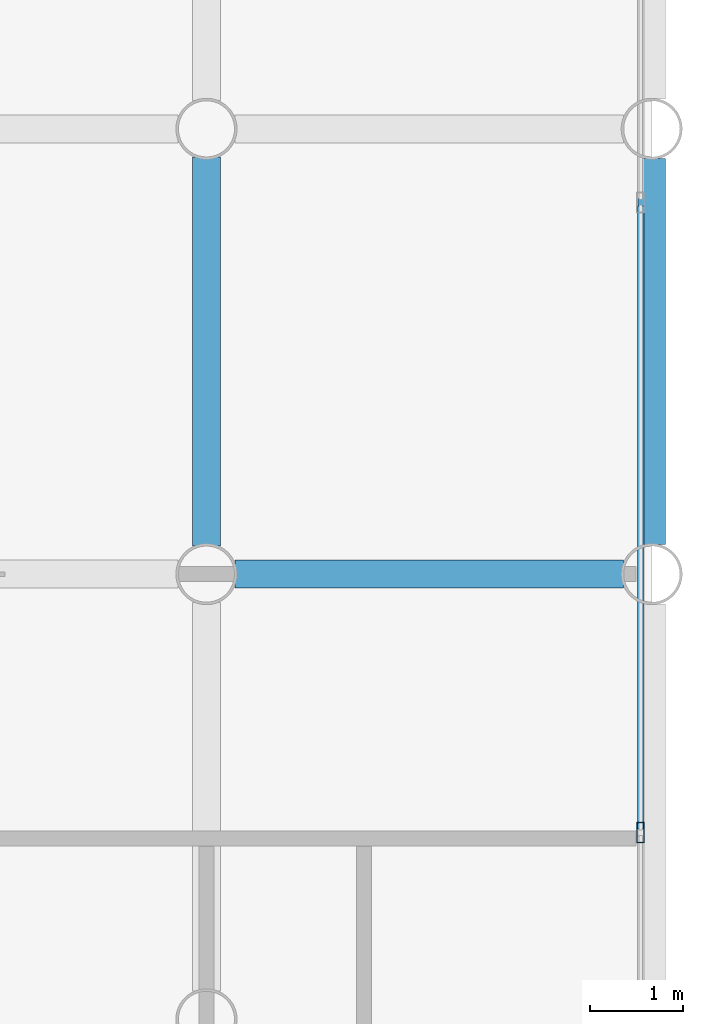
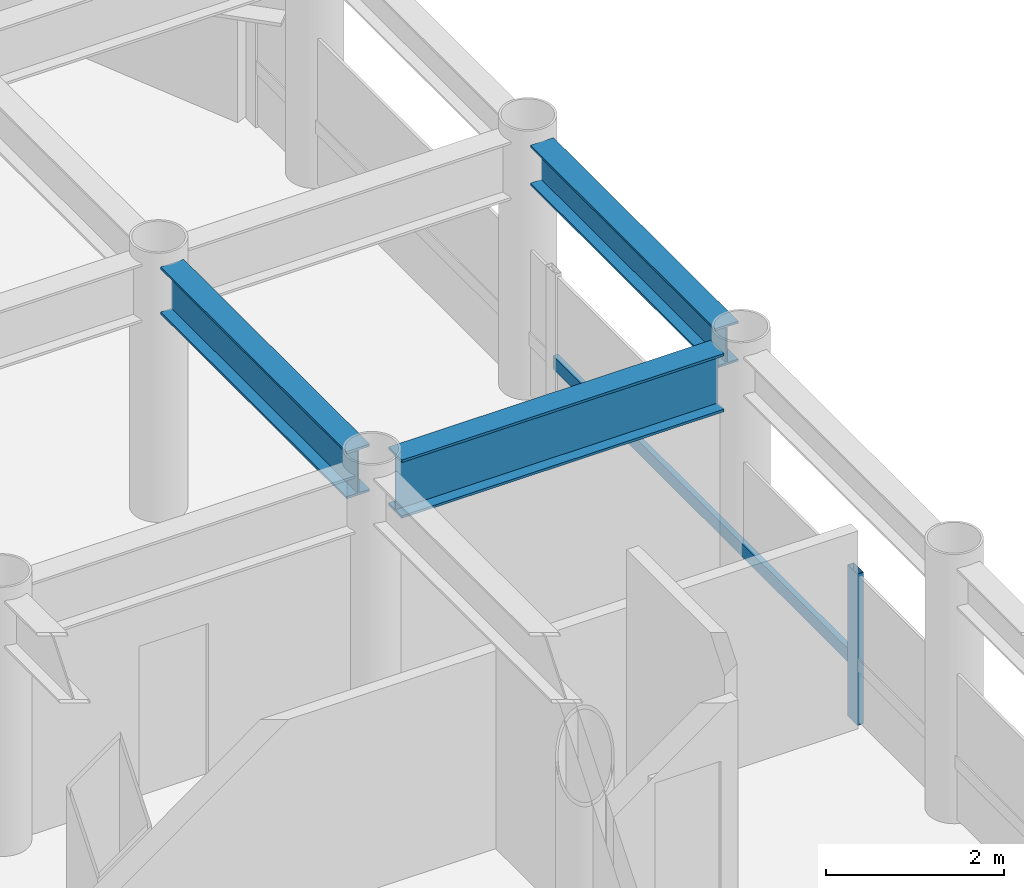
# One storey, part 10 of 22: 3 beams, 2 members, 1 element without a shape of its own.
"""IFC4 building model written with IfcOpenShell, lengths in metres."""

import ifcopenshell
import ifcopenshell.guid

model = None  # the IFC model being written
_history = None  # IfcOwnerHistory: only IFC2X3 demands one
_inside = {}  # id of a spatial element -> (the spatial element, [elements in it])
_under = {}  # id of a project, library or spatial element -> (it, [spatial elements below it])
_declared = {}  # id of a project -> (the project, [libraries it declares])
_typed = {}  # id of a type object -> (the type object, [elements of that type])
_made_of = {}  # id of a material, layer set ... -> (it, [elements and type objects made of it])


def new_model(schema):
    """Start an empty IFC model of exactly this schema.

    Asked for "IFC4X3", IfcOpenShell would pick the latest addendum, in which some entities
    have other attributes; the version numbers below select the first issue.
    IFC2X3 requires an IfcOwnerHistory on every rooted entity: one is made here for all.
    """
    global model, _history
    if schema == "IFC4X3":
        model = ifcopenshell.file(schema_version=(4, 3, 0, 0))
    else:
        model = ifcopenshell.file(schema=schema)
    _inside.clear()
    _under.clear()
    _declared.clear()
    _typed.clear()
    _made_of.clear()
    _history = None
    if model.schema == "IFC2X3":
        org = make("IfcOrganization", Name="unknown")
        user = make(
            "IfcPersonAndOrganization",
            ThePerson=make("IfcPerson", FamilyName="unknown"),
            TheOrganization=org,
        )
        app = make(
            "IfcApplication",
            ApplicationDeveloper=org,
            Version="unknown",
            ApplicationFullName="unknown",
            ApplicationIdentifier="unknown",
        )
        _history = make(
            "IfcOwnerHistory",
            OwningUser=user,
            OwningApplication=app,
            ChangeAction="ADDED",
            CreationDate=0,
        )
    return model


def make(cls, **values):
    """One entity of the class cls with the attributes given. An attribute that is None is left unset."""
    return model.create_entity(
        cls, **{name: value for name, value in values.items() if value is not None}
    )


def rooted(cls, **values):
    """An entity with a GlobalId (a new one), such as an element, a storey or a relation."""
    return make(cls, GlobalId=ifcopenshell.guid.new(), OwnerHistory=_history, **values)


def si_unit(unit_type, name, prefix=None):
    """IfcSIUnit, for example si_unit("LENGTHUNIT", "METRE", prefix="MILLI")."""
    return make("IfcSIUnit", UnitType=unit_type, Prefix=prefix, Name=name)


def assignment(units):
    """IfcUnitAssignment: the units of a project."""
    return None if units is None else make("IfcUnitAssignment", Units=units)


def point(xyz):
    """IfcCartesianPoint."""
    return None if xyz is None else make("IfcCartesianPoint", Coordinates=xyz)


def direction(xyz):
    """IfcDirection."""
    return None if xyz is None else make("IfcDirection", DirectionRatios=xyz)


def frame(location, z_axis=None, x_axis=None):
    """IfcAxis2Placement3D, a coordinate frame: its origin and axes. An axis left out is left unset."""
    return make(
        "IfcAxis2Placement3D",
        Location=point(location),
        Axis=direction(z_axis),
        RefDirection=direction(x_axis),
    )


def frame_2d(location, x_axis=None):
    """IfcAxis2Placement2D, a coordinate frame in the plane: its origin and x axis."""
    return make(
        "IfcAxis2Placement2D", Location=point(location), RefDirection=direction(x_axis)
    )


def origin():
    """The frame at (0, 0, 0) with its axes left unset."""
    return frame((0.0, 0.0, 0.0))


def origin_2d():
    """The frame at (0, 0) in the plane with its x axis left unset."""
    return frame_2d((0.0, 0.0))


def place(relative_to, where):
    """IfcLocalPlacement: puts the frame where relative to a parent placement (None: the world)."""
    return make(
        "IfcLocalPlacement", PlacementRelTo=relative_to, RelativePlacement=where
    )


def context(
    kind, dimensions, precision=None, world=None, true_north=None, identifier=None
):
    """IfcGeometricRepresentationContext, for example the 3D "Model" context."""
    return make(
        "IfcGeometricRepresentationContext",
        ContextIdentifier=identifier,
        ContextType=kind,
        CoordinateSpaceDimension=dimensions,
        Precision=precision,
        WorldCoordinateSystem=world,
        TrueNorth=true_north,
    )


def subcontext(parent, identifier, kind, view, scale=None):
    """IfcGeometricRepresentationSubContext, for example "Body" below "Model"."""
    return make(
        "IfcGeometricRepresentationSubContext",
        ContextIdentifier=identifier,
        ContextType=kind,
        ParentContext=parent,
        TargetScale=scale,
        TargetView=view,
    )


def project(units=None, contexts=None):
    """IfcProject with its units and contexts."""
    return rooted(
        "IfcProject",
        Name="project",
        RepresentationContexts=contexts,
        UnitsInContext=assignment(units),
    )


def spatial(cls, under=None, at=None, **own):
    """A site, building, storey or space (cls), placed at a placement, below another one or the project."""
    s = rooted(cls, ObjectPlacement=at, **own)
    if under is not None:
        _under.setdefault(under.id(), (under, []))[1].append(s)
    return s


def profile(cls, at=None, kind="AREA", **sizes):
    """A parametric profile (cls). Its sizes go by their IFC names, for example OverallWidth=200.0."""
    return make(cls, ProfileType=kind, Position=at, **sizes)


def hollow_rectangle(**sizes):
    """IfcRectangleHollowProfileDef."""
    return profile("IfcRectangleHollowProfileDef", **sizes)


def i_section(**sizes):
    """IfcIShapeProfileDef."""
    return profile("IfcIShapeProfileDef", **sizes)


def extrude(swept, where, along, depth):
    """IfcExtrudedAreaSolid: the profile swept, set in the frame where, extruded along a direction by depth."""
    return make(
        "IfcExtrudedAreaSolid",
        SweptArea=swept,
        Position=where,
        ExtrudedDirection=direction(along),
        Depth=depth,
    )


def shape(context_of_items, identifier, shape_type, items):
    """IfcShapeRepresentation: the items that make up one representation, for example the "Body"."""
    return make(
        "IfcShapeRepresentation",
        ContextOfItems=context_of_items,
        RepresentationIdentifier=identifier,
        RepresentationType=shape_type,
        Items=items,
    )


def material(Name=None, Category=None):
    """IfcMaterial."""
    return make("IfcMaterial", Name=Name, Category=Category)


def layer(
    of_material, thickness, ventilated=None, Name=None, Category=None, Priority=None
):
    """IfcMaterialLayer: one layer of a wall or slab, of a material (None: an air gap)."""
    return make(
        "IfcMaterialLayer",
        Material=of_material,
        LayerThickness=thickness,
        IsVentilated=ventilated,
        Name=Name,
        Category=Category,
        Priority=Priority,
    )


def layer_set(layers, Name=None):
    """IfcMaterialLayerSet."""
    return make("IfcMaterialLayerSet", MaterialLayers=layers, LayerSetName=Name)


def material_profile(
    of_material, cross_section, Name=None, Category=None, Priority=None
):
    """IfcMaterialProfile: a cross section and its material."""
    return make(
        "IfcMaterialProfile",
        Name=Name,
        Material=of_material,
        Profile=cross_section,
        Priority=Priority,
        Category=Category,
    )


def profile_set(profiles, Name=None, composite=None):
    """IfcMaterialProfileSet."""
    return make(
        "IfcMaterialProfileSet",
        Name=Name,
        MaterialProfiles=profiles,
        CompositeProfile=composite,
    )


def made_of(thing, what):
    """Note that an element or type object is made of a material, layer set ...; save() writes the relation."""
    if what is not None:
        _made_of.setdefault(what.id(), (what, []))[1].append(thing)
    return thing


def type_object(cls, material=None, **own):
    """A type object (cls), such as IfcWallType, which elements share."""
    return made_of(rooted(cls, **own), material)


def element(
    cls,
    number,
    at=None,
    inside=None,
    cuts=None,
    type_object=None,
    material=None,
    context=None,
    identifier="Body",
    shape_type=None,
    held_by="IfcProductDefinitionShape",
    body=None,
    shapes=None,
    **own,
):
    """One element of the class cls, such as IfcWall. Its Tag is "e" and its number.

    at: its placement. inside: the storey or other place that contains it. cuts: it is an
    opening in that element (IfcRelVoidsElement). A single representation is given by context,
    identifier, shape_type and body (its items); several are given by shapes. held_by: the class
    of the entity that holds the representations. save() writes the other relations.
    """
    e = rooted(cls, Tag="e%d" % number, ObjectPlacement=at, **own)
    if body is not None:
        shapes = [shape(context, identifier, shape_type, body)]
    if shapes is not None:
        e.Representation = make(held_by, Representations=shapes)
    if inside is not None:
        _inside.setdefault(inside.id(), (inside, []))[1].append(e)
    if cuts is not None:
        rooted(
            "IfcRelVoidsElement", RelatingBuildingElement=cuts, RelatedOpeningElement=e
        )
    if type_object is not None:
        _typed.setdefault(type_object.id(), (type_object, []))[1].append(e)
    return made_of(e, material)


def aggregate(whole, parts):
    """IfcRelAggregates: a whole, such as a stair, and the parts it consists of."""
    return rooted("IfcRelAggregates", RelatingObject=whole, RelatedObjects=parts)


def save(model, path):
    """Write the relations noted so far, then the file.

    IfcRelAggregates (storeys below a building ...), IfcRelContainedInSpatialStructure (elements
    in a storey), IfcRelDefinesByType, IfcRelAssociatesMaterial and IfcRelDeclares: one each for
    every whole, place, type object, material and project.
    """
    for whole, parts in _under.values():
        aggregate(whole, parts)
    for where, things in _inside.values():
        rooted(
            "IfcRelContainedInSpatialStructure",
            RelatedElements=things,
            RelatingStructure=where,
        )
    for kind, things in _typed.values():
        rooted("IfcRelDefinesByType", RelatedObjects=things, RelatingType=kind)
    for what, things in _made_of.values():
        rooted("IfcRelAssociatesMaterial", RelatedObjects=things, RelatingMaterial=what)
    for by, libraries in _declared.values():
        rooted("IfcRelDeclares", RelatingContext=by, RelatedDefinitions=libraries)
    model.write(path)


model = new_model("IFC4")

# Units and contexts
model_context = context("Model", 3, precision=1e-05, world=origin(), true_north=direction((0.0, 1.0)))
body_context = subcontext(model_context, "Body", "Model", "MODEL_VIEW")
ifc_project = project(units=[si_unit("LENGTHUNIT", "METRE"), si_unit("AREAUNIT", "SQUARE_METRE"), si_unit("VOLUMEUNIT", "CUBIC_METRE"), si_unit("PLANEANGLEUNIT", "RADIAN"), si_unit("MASSUNIT", "GRAM", prefix="KILO")], contexts=[model_context])

# Site, building, storey
site_placement = place(None, origin())
site = spatial("IfcSite", under=ifc_project, at=site_placement, CompositionType="ELEMENT")
building_placement = place(site_placement, origin())
building = spatial("IfcBuilding", under=site, at=building_placement, Name="Kallvorn Hotel Tower", CompositionType="ELEMENT")
storey_placement = place(building_placement, frame((0.0, 0.0, 117.39990234375)))
storey = spatial("IfcBuildingStorey", under=building, at=storey_placement, Name="L28", CompositionType="ELEMENT", Elevation=117.39990234375)

# Beams
ifc_material_1 = material(Name="Structural steel S355JR", Category="steel")
ifc_material_profile_1 = material_profile(ifc_material_1, i_section(OverallWidth=0.300048828125, OverallDepth=0.550048828125, WebThickness=0.014892578125, FlangeThickness=0.029052734375, at=origin_2d()), Name="HE 550 B")
ifc_profile_set_1 = profile_set([ifc_material_profile_1], Name="Structural steel S355JR")
beam_type_1 = type_object("IfcBeamType", Name="BM_HE550B", PredefinedType="SPANDREL", material=ifc_profile_set_1)
beam_1_placement = place(storey_placement, frame((33.60009765625, 9.919921875, 3.2451171875), z_axis=(0.0, 1.0, 0.0), x_axis=(-1.0, 0.0, 0.0)))
element("IfcBeam", 1, at=beam_1_placement, inside=storey, type_object=beam_type_1, Name="L29 Perimeter Spandrel 187", PredefinedType="SPANDREL", context=body_context, shape_type="SweptSolid", body=[
    extrude(i_section(OverallWidth=0.300048828125, OverallDepth=0.550048828125, WebThickness=0.014892578125, FlangeThickness=0.029052734375, at=origin_2d()), origin(), (0.0, 0.0, 1.0), 4.16015625),
])
ifc_material_2 = material(Name="Structural steel S355JR", Category="steel")
ifc_material_profile_2 = material_profile(ifc_material_2, i_section(OverallWidth=0.300048828125, OverallDepth=0.64990234375, WebThickness=0.01611328125, FlangeThickness=0.031005859375, at=origin_2d()), Name="HE 650 B")
ifc_profile_set_2 = profile_set([ifc_material_profile_2], Name="Structural steel S355JR")
beam_type_2 = type_object("IfcBeamType", Name="BM_HE650B", PredefinedType="BEAM", material=ifc_profile_set_2)
beam_2_placement = place(storey_placement, frame((28.800048828125, 9.905029296875, 3.195068359375), z_axis=(0.0, 1.0, 0.0), x_axis=(-1.0, 0.0, 0.0)))
element("IfcBeam", 2, at=beam_2_placement, inside=storey, type_object=beam_type_2, Name="L29 Primary Y-Girder 148", PredefinedType="BEAM", context=body_context, shape_type="SweptSolid", body=[
    extrude(i_section(OverallWidth=0.300048828125, OverallDepth=0.64990234375, WebThickness=0.01611328125, FlangeThickness=0.031005859375, at=origin_2d()), origin(), (0.0, 0.0, 1.0), 4.18994140625),
])
ifc_material_3 = material(Name="Structural steel S355JR", Category="steel")
ifc_material_profile_3 = material_profile(ifc_material_3, i_section(OverallWidth=0.300048828125, OverallDepth=0.800048828125, WebThickness=0.017578125, FlangeThickness=0.032958984375, at=origin_2d()), Name="HE 800 B")
ifc_profile_set_3 = profile_set([ifc_material_profile_3], Name="Structural steel S355JR")
beam_type_3 = type_object("IfcBeamType", Name="BM_HE800B", PredefinedType="BEAM", material=ifc_profile_set_3)
beam_3_placement = place(storey_placement, frame((29.10498046875, 9.60009765625, 3.1201171875), z_axis=(1.0, 0.0, 0.0), x_axis=(0.0, 1.0, 0.0)))
element("IfcBeam", 3, at=beam_3_placement, inside=storey, type_object=beam_type_3, Name="L29 Primary X-Girder 49", PredefinedType="BEAM", context=body_context, shape_type="SweptSolid", body=[
    extrude(i_section(OverallWidth=0.300048828125, OverallDepth=0.800048828125, WebThickness=0.017578125, FlangeThickness=0.032958984375, at=origin_2d()), origin(), (0.0, 0.0, 1.0), 4.18994140625),
])

# Curtain wall, members
ifc_material_4 = material(Name="Thermally broken black-anodised aluminium AA 6063-T6", Category="aluminium")
ifc_layer = layer(ifc_material_4, 0.199951171875)
ifc_layer_set = layer_set([ifc_layer], Name="CW_SYS_3_HOTEL_LOW")
curtain_wall_type = type_object("IfcCurtainWallType", Name="CW_SYS_3_HOTEL_LOW", PredefinedType="USERDEFINED", material=ifc_layer_set)
curtain_wall_placement = place(storey_placement, origin())
curtain_wall = element("IfcCurtainWall", 4, at=curtain_wall_placement, inside=storey, type_object=curtain_wall_type, Name="L28 Dark-Glass Curtain Wall CW-L28-EN", ObjectType="UNITISED CURTAIN WALL", PredefinedType="USERDEFINED")
ifc_material_5 = material(Name="Thermally broken black-anodised aluminium AA 6063-T6", Category="aluminium")
ifc_material_profile_4 = material_profile(ifc_material_5, hollow_rectangle(XDim=0.080078125, YDim=0.219970703125, WallThickness=0.0048828125, at=origin_2d()), Name="MUL 220x80")
ifc_profile_set_4 = profile_set([ifc_material_profile_4], Name="Thermally broken black-anodised aluminium AA 6063-T6")
member_type_1 = type_object("IfcMemberType", Name="CW_MULLION_220x80", PredefinedType="MULLION", material=ifc_profile_set_4)
member_1_placement = place(storey_placement, frame((33.47998046875, 6.813232421875, 0.02001953125), z_axis=(0.0, 0.0, 1.0), x_axis=(1.0, 0.0, 0.0)))
member_1 = element("IfcMember", 5, at=member_1_placement, type_object=member_type_1, Name="CW-L28-EN Mullion 01", PredefinedType="MULLION", context=body_context, shape_type="SweptSolid", body=[
    extrude(hollow_rectangle(XDim=0.080078125, YDim=0.219970703125, WallThickness=0.0048828125, at=origin_2d()), origin(), (0.0, 0.0, 1.0), 2.080078125),
])
ifc_material_6 = material(Name="Thermally broken black-anodised aluminium AA 6063-T6", Category="aluminium")
ifc_material_profile_5 = material_profile(ifc_material_6, hollow_rectangle(XDim=0.070068359375, YDim=0.179931640625, WallThickness=0.00390625, at=origin_2d()), Name="TRN 180x70")
ifc_profile_set_5 = profile_set([ifc_material_profile_5], Name="Thermally broken black-anodised aluminium AA 6063-T6")
member_type_2 = type_object("IfcMemberType", Name="CW_TRANSOM_180x70", PredefinedType="USERDEFINED", material=ifc_profile_set_5)
member_2_placement = place(storey_placement, frame((33.47998046875, 6.853271484375, 0.85009765625), z_axis=(0.0, 1.0, 0.0), x_axis=(-1.0, 0.0, 0.0)))
member_2 = element("IfcMember", 6, at=member_2_placement, type_object=member_type_2, Name="CW-L28-EN Transom 01M", ObjectType="TRANSOM", PredefinedType="USERDEFINED", context=body_context, shape_type="SweptSolid", body=[
    extrude(hollow_rectangle(XDim=0.070068359375, YDim=0.179931640625, WallThickness=0.00390625, at=origin_2d()), origin(), (0.0, 0.0, 1.0), 6.71337890625),
])
aggregate(curtain_wall, [member_1, member_2])

save(model, "model.ifc")
